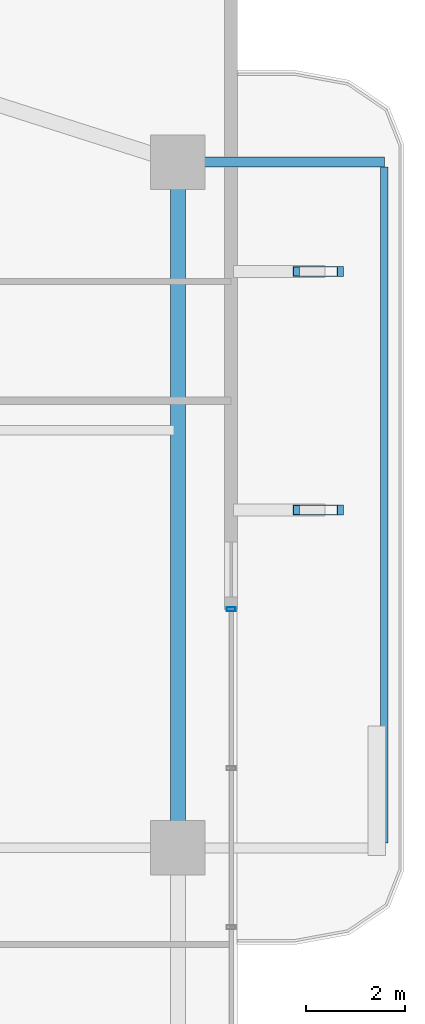
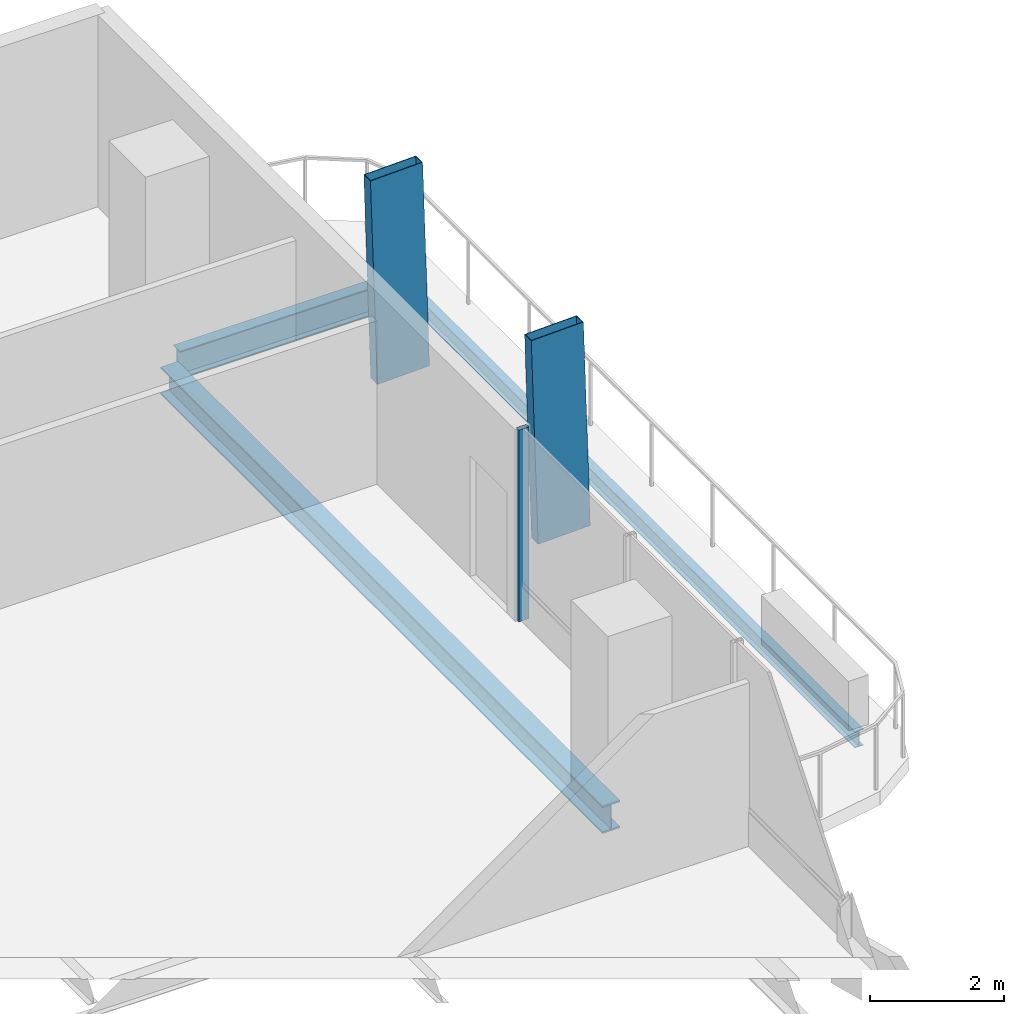
# One storey, part 15 of 24: 3 beams, 3 members, 1 element without a shape of its own.
"""IFC4 building model written with IfcOpenShell, lengths in metres."""

from ifc_helpers import new_model, si_unit, direction, frame, origin, origin_2d, place, context, subcontext, project, spatial, hollow_rectangle, i_section, extrude, material, layer, layer_set, material_profile, profile_set, type_object, element, aggregate, save


model = new_model("IFC4")

# Units and contexts
model_context = context("Model", 3, precision=1e-05, world=origin(), true_north=direction((0.0, 1.0)))
body_context = subcontext(model_context, "Body", "Model", "MODEL_VIEW")
ifc_project = project(units=[si_unit("LENGTHUNIT", "METRE"), si_unit("AREAUNIT", "SQUARE_METRE"), si_unit("VOLUMEUNIT", "CUBIC_METRE"), si_unit("PLANEANGLEUNIT", "RADIAN"), si_unit("MASSUNIT", "GRAM", prefix="KILO")], contexts=[model_context])

# Site, building, storey
site_placement = place(None, origin())
site = spatial("IfcSite", under=ifc_project, at=site_placement, CompositionType="ELEMENT")
building_placement = place(site_placement, origin())
building = spatial("IfcBuilding", under=site, at=building_placement, Name="Belovzor Exchange Tower", CompositionType="ELEMENT")
storey_placement = place(building_placement, frame((0.0, 0.0, 145.800048828125)))
storey = spatial("IfcBuildingStorey", under=building, at=storey_placement, Name="L35", CompositionType="ELEMENT", Elevation=145.800048828125)

# Beams
ifc_material_1 = material(Name="Steel S355", Category="steel")
ifc_material_profile_1 = material_profile(ifc_material_1, i_section(OverallWidth=0.199951171875, OverallDepth=0.5, WebThickness=0.01025390625, FlangeThickness=0.01611328125, at=origin_2d()))
ifc_profile_set_1 = profile_set([ifc_material_profile_1], Name="Steel S355")
beam_type_1 = type_object("IfcBeamType", Name="Planted Balcony Cantilever Beam IPE 500", PredefinedType="BEAM", material=ifc_profile_set_1)
beam_1_placement = place(storey_placement, frame((52.202880859375, 42.60009765625, -0.505126953125), z_axis=(1.0, 0.0, 0.0), x_axis=(0.0, 1.0, 0.0)))
element("IfcBeam", 1, at=beam_1_placement, inside=storey, type_object=beam_type_1, Name="BC-500 Planted Balcony Cantilever Beam IPE 500", PredefinedType="BEAM", context=body_context, shape_type="SweptSolid", body=[
    extrude(i_section(OverallWidth=0.199951171875, OverallDepth=0.5, WebThickness=0.01025390625, FlangeThickness=0.01611328125, at=origin_2d()), origin(), (0.0, 0.0, 1.0), 3.85009765625),
])
ifc_material_2 = material(Name="Steel S355", Category="steel")
ifc_material_profile_2 = material_profile(ifc_material_2, i_section(OverallWidth=0.14990234375, OverallDepth=0.300048828125, WebThickness=0.007080078125, FlangeThickness=0.0107421875, at=origin_2d()))
ifc_profile_set_2 = profile_set([ifc_material_profile_2], Name="Steel S355")
beam_type_2 = type_object("IfcBeamType", Name="Planted Balcony Fascia Edge Beam IPE 300", PredefinedType="BEAM", material=ifc_profile_set_2)
beam_2_placement = place(storey_placement, frame((56.052978515625, 28.89990234375, -0.405029296875), z_axis=(0.0, 1.0, 0.0), x_axis=(-1.0, 0.0, 0.0)))
element("IfcBeam", 2, at=beam_2_placement, inside=storey, type_object=beam_type_2, Name="BC-300 Planted Balcony Fascia Edge Beam IPE 300", PredefinedType="BEAM", context=body_context, shape_type="SweptSolid", body=[
    extrude(i_section(OverallWidth=0.14990234375, OverallDepth=0.300048828125, WebThickness=0.007080078125, FlangeThickness=0.0107421875, at=origin_2d()), origin(), (0.0, 0.0, 1.0), 13.60009765625),
])

# Members
ifc_material_3 = material(Name="Extruded Architectural Terracotta on Steel S355 Carrier", Category="masonry")
ifc_material_profile_3 = material_profile(ifc_material_3, hollow_rectangle(XDim=0.199951171875, YDim=0.89990234375, WallThickness=0.011962890625, at=origin_2d()))
ifc_profile_set_3 = profile_set([ifc_material_profile_3], Name="Extruded Architectural Terracotta on Steel S355 Carrier")
member_type_1 = type_object("IfcMemberType", Name="Sweeping Terracotta Baguette Fin Assembly 1250", PredefinedType="USERDEFINED", material=ifc_profile_set_3)
for number, where, z_axis, x_axis, name in (
    (3, (54.782958984375, 35.60009765625, -0.255126953125), (-0.031689805028, 0.0, 0.999497752002), (0.0, -1.0, 0.0), "FIN-TC125 Terracotta Facade Fin L35 E3"),
    (4, (54.782958984375, 40.39990234375, -0.255126953125), (-0.031689805028, 0.0, 0.999497752002), (0.0, -1.0, 0.0), "FIN-TC125 Terracotta Facade Fin L35 E4"),
):
    element("IfcMember", number, at=place(storey_placement, frame(where, z_axis=z_axis, x_axis=x_axis)), inside=storey, type_object=member_type_1, Name=name, ObjectType="FIN", PredefinedType="USERDEFINED", context=body_context, shape_type="SweptSolid", body=[
        extrude(hollow_rectangle(XDim=0.199951171875, YDim=0.89990234375, WallThickness=0.011962890625, at=origin_2d()), origin(), (0.0, 0.0, 1.0), 3.751953125),
    ])

# Curtain wall, member
ifc_material_4 = material(Name="Anodised Aluminium Framing", Category="aluminium")
ifc_layer = layer(ifc_material_4, 0.179931640625)
ifc_layer_set = layer_set([ifc_layer], Name="Anodised Aluminium Framing")
curtain_wall_type = type_object("IfcCurtainWallType", Name="Recessed Loggia Low-Iron Triple-Glazed Curtain Wall", PredefinedType="NOTDEFINED", material=ifc_layer_set)
curtain_wall_placement = place(storey_placement, origin())
curtain_wall = element("IfcCurtainWall", 5, at=curtain_wall_placement, inside=storey, type_object=curtain_wall_type, Name="CW3 Recessed Loggia Low-Iron Triple-Glazed Curtain Wall L35", PredefinedType="NOTDEFINED")
ifc_material_5 = material(Name="Steel S355", Category="steel")
ifc_material_profile_4 = material_profile(ifc_material_5, hollow_rectangle(XDim=0.074951171875, YDim=0.179931640625, WallThickness=0.0048828125, at=origin_2d()))
ifc_profile_set_4 = profile_set([ifc_material_profile_4], Name="Steel S355")
member_type_2 = type_object("IfcMemberType", Name="Thermally Broken Curtain Wall Mullion 180x75", PredefinedType="MULLION", material=ifc_profile_set_4)
member_placement = place(storey_placement, frame((52.969970703125, 33.60009765625, 0.0), z_axis=(0.0, 0.0, 1.0), x_axis=(0.0, -1.0, 0.0)))
member = element("IfcMember", 6, at=member_placement, type_object=member_type_2, Name="CW-M180 Curtain Wall Mullion 1", PredefinedType="MULLION", context=body_context, shape_type="SweptSolid", body=[
    extrude(hollow_rectangle(XDim=0.074951171875, YDim=0.179931640625, WallThickness=0.0048828125, at=origin_2d()), origin(), (0.0, 0.0, 1.0), 3.494873046875),
])
aggregate(curtain_wall, [member])

# Beam
ifc_material_6 = material(Name="Steel S355", Category="steel")
ifc_material_profile_5 = material_profile(ifc_material_6, i_section(OverallWidth=0.300048828125, OverallDepth=0.5, WebThickness=0.014404296875, FlangeThickness=0.028076171875, at=origin_2d()))
ifc_profile_set_5 = profile_set([ifc_material_profile_5], Name="Steel S355")
beam_type_3 = type_object("IfcBeamType", Name="Zone 3 Waist Primary Girder HEB 500", PredefinedType="BEAM", material=ifc_profile_set_5)
beam_3_placement = place(storey_placement, frame((51.89990234375, 29.10205078125, -0.505126953125), z_axis=(0.0, 1.0, 0.0), x_axis=(-1.0, 0.0, 0.0)))
element("IfcBeam", 7, at=beam_3_placement, inside=storey, type_object=beam_type_3, Name="FG-Z3 Zone 3 Waist Primary Girder HEB 500", PredefinedType="BEAM", context=body_context, shape_type="SweptSolid", body=[
    extrude(i_section(OverallWidth=0.300048828125, OverallDepth=0.5, WebThickness=0.014404296875, FlangeThickness=0.028076171875, at=origin_2d()), origin(), (0.0, 0.0, 1.0), 13.195068359375),
])

save(model, "model.ifc")
